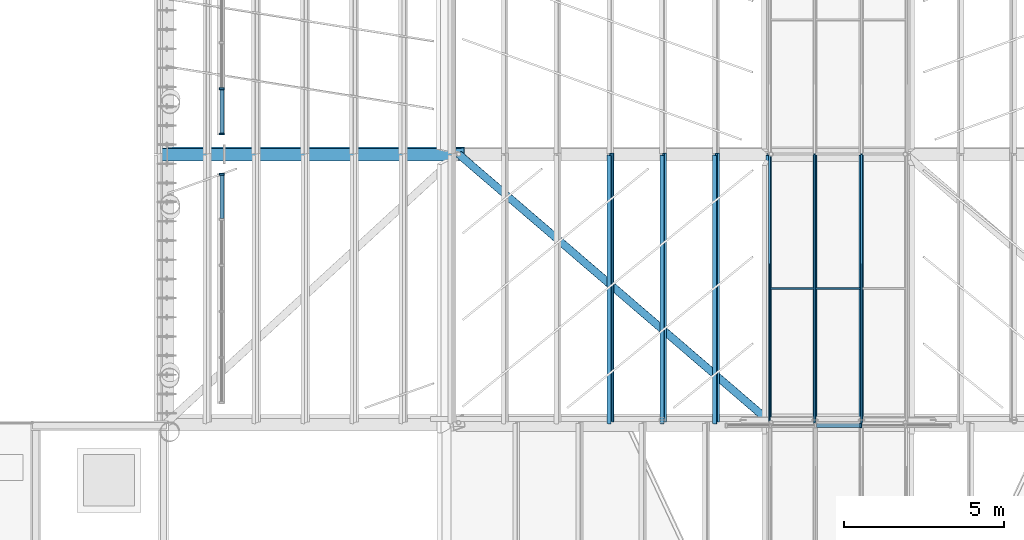
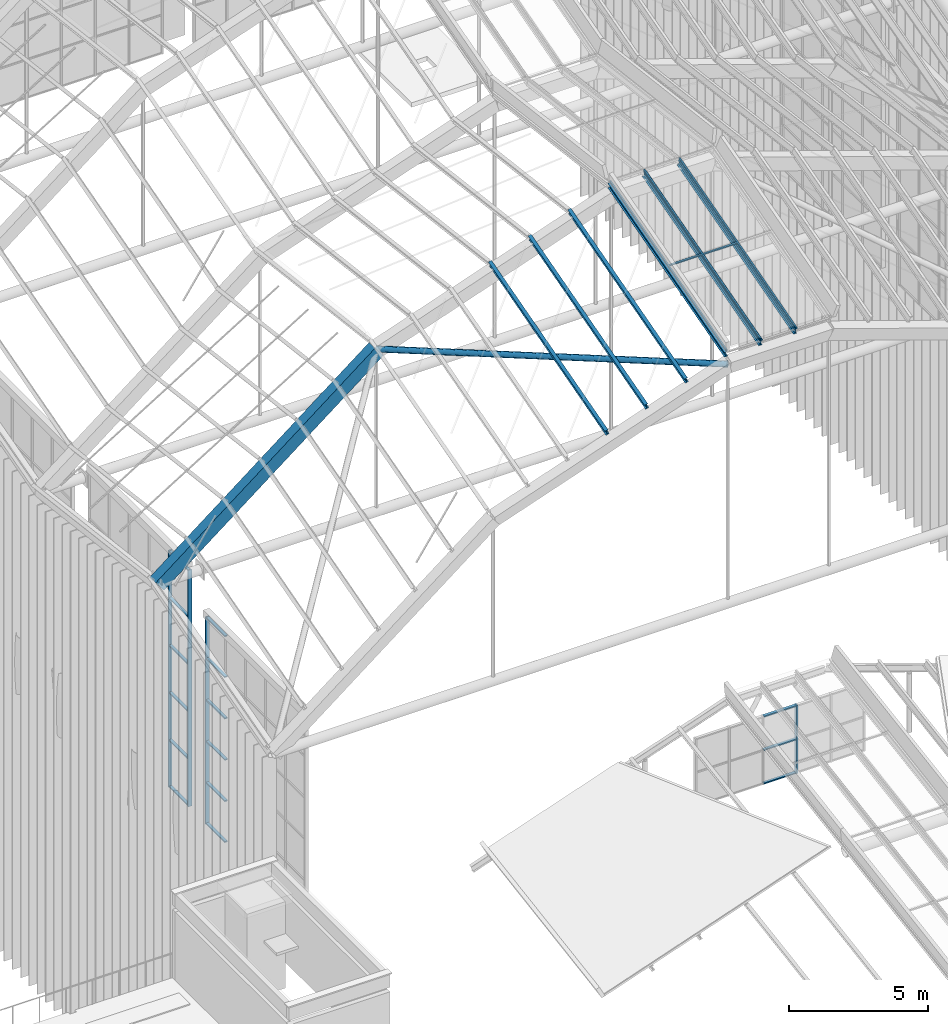
# One storey, part 19 of 126: 31 members, 1 beam, 3 elements without a shape of their own.
"""IFC4 building model written with IfcOpenShell, lengths in metres."""

from ifc_helpers import new_model, si_unit, direction, frame, origin, origin_2d, place, context, subcontext, project, spatial, polyline, rectangle, hollow_circle, i_section, outline, extrude, material, material_profile, profile_set, type_object, element, aggregate, save


model = new_model("IFC4")

# Units and contexts
model_context = context("Model", 3, precision=1e-05, world=origin(), true_north=direction((0.0, 1.0)))
body_context = subcontext(model_context, "Body", "Model", "MODEL_VIEW")
ifc_project = project(units=[si_unit("LENGTHUNIT", "METRE"), si_unit("AREAUNIT", "SQUARE_METRE"), si_unit("VOLUMEUNIT", "CUBIC_METRE"), si_unit("PLANEANGLEUNIT", "RADIAN"), si_unit("MASSUNIT", "GRAM", prefix="KILO")], contexts=[model_context])

# Site, building, storey
site_placement = place(None, origin())
site = spatial("IfcSite", under=ifc_project, at=site_placement, CompositionType="ELEMENT")
building_placement = place(site_placement, origin())
building = spatial("IfcBuilding", under=site, at=building_placement, Name="Sava Quay Ferry Terminal", CompositionType="ELEMENT")
storey_placement = place(building_placement, frame((0.0, 0.0, 15.0)))
storey = spatial("IfcBuildingStorey", under=building, at=storey_placement, Name="L03", CompositionType="ELEMENT", Elevation=15.0)

# Beam
ifc_material_1 = material(Name="Steel S355", Category="steel")
ifc_material_profile_1 = material_profile(ifc_material_1, outline(polyline([(-0.199951171875, -0.300048828125), (0.199951171875, -0.300048828125), (0.199951171875, 0.300048828125), (-0.199951171875, 0.300048828125), (-0.199951171875, -0.300048828125)]), holes=[polyline([(-0.175048828125, -0.27490234375), (-0.175048828125, 0.27490234375), (0.175048828125, 0.27490234375), (0.175048828125, -0.27490234375), (-0.175048828125, -0.27490234375)])]), Name="Box 600x400x25 built-up")
ifc_profile_set_1 = profile_set([ifc_material_profile_1], Name="Steel S355")
beam_type = type_object("IfcBeamType", Name="D folded rib Box 600x400x25", PredefinedType="BEAM", material=ifc_profile_set_1)
beam_placement = place(storey_placement, frame((42.0, 58.800048828125, 10.757080078125), z_axis=(0.788010316968, 0.0, 0.615662034198), x_axis=(-0.036941091699, 0.998198243354, 0.047282372084)))
element("IfcBeam", 1, at=beam_placement, inside=storey, type_object=beam_type, Name="Departure hall folded rib R1 seg 1", PredefinedType="BEAM", context=body_context, shape_type="SweptSolid", body=[
    extrude(outline(polyline([(-0.199951171875, -0.300048828125), (0.199951171875, -0.300048828125), (0.199951171875, 0.300048828125), (-0.199951171875, 0.300048828125), (-0.199951171875, -0.300048828125)]), holes=[polyline([(-0.175048828125, -0.27490234375), (-0.175048828125, 0.27490234375), (0.175048828125, 0.27490234375), (0.175048828125, -0.27490234375), (-0.175048828125, -0.27490234375)])]), origin(), (0.0, 0.0, 1.0), 11.5859375),
])

# Members
ifc_material_2 = material(Name="Aluminium EN AW-6063 T6", Category="aluminium")
ifc_material_profile_2 = material_profile(ifc_material_2, rectangle(XDim=0.06005859375, YDim=0.06005859375, at=origin_2d()), Name="Bar 60 x 60")
ifc_profile_set_2 = profile_set([ifc_material_profile_2], Name="Aluminium EN AW-6063 T6")
member_type_1 = type_object("IfcMemberType", Name="Glazing bar 60x60", PredefinedType="USERDEFINED", material=ifc_profile_set_2)
for number, where, z_axis, x_axis, name in (
    (2, (60.85302734375, 50.39990234375, 19.5205078125), (0.0, 0.962818275279, 0.270149900588), (-1.0, 0.0, 0.0), "Departure hall glazing bar D-B0-GL2.0"),
    (3, (62.267822265625, 50.39990234375, 19.5205078125), (0.0, 0.962818275279, 0.270149900588), (-1.0, 0.0, 0.0), "Departure hall glazing bar D-B0-GL2.1"),
    (4, (63.732177734375, 50.39990234375, 19.5205078125), (0.0, 0.962818275279, 0.270149900588), (-1.0, 0.0, 0.0), "Departure hall glazing bar D-B0-GL2.2"),
):
    element("IfcMember", number, at=place(storey_placement, frame(where, z_axis=z_axis, x_axis=x_axis)), inside=storey, type_object=member_type_1, Name=name, ObjectType="GLAZING BAR", PredefinedType="USERDEFINED", context=body_context, shape_type="SweptSolid", body=[
        extrude(rectangle(XDim=0.06005859375, YDim=0.06005859375, at=origin_2d()), origin(), (0.0, 0.0, 1.0), 8.724609375),
    ])
member_1_placement = place(storey_placement, frame((60.883056640625, 54.60009765625, 20.698974609375), z_axis=(1.0, 0.0, 0.0), x_axis=(0.0, 0.962815070048, 0.270161323822)))
element("IfcMember", 5, at=member_1_placement, inside=storey, type_object=member_type_1, Name="Departure hall glazing bar D-B0M-GT2.0", ObjectType="GLAZING BAR", PredefinedType="USERDEFINED", context=body_context, shape_type="SweptSolid", body=[
    extrude(rectangle(XDim=0.06005859375, YDim=0.06005859375, at=origin_2d()), origin(), (0.0, 0.0, 1.0), 1.354736328125),
])
member_2_placement = place(storey_placement, frame((62.297607421875, 54.60009765625, 20.698974609375), z_axis=(1.0, 0.0, 0.0), x_axis=(0.0, 0.962815070048, 0.270161323822)))
element("IfcMember", 6, at=member_2_placement, inside=storey, type_object=member_type_1, Name="Departure hall glazing bar D-B0M-GT2.1", ObjectType="GLAZING BAR", PredefinedType="USERDEFINED", context=body_context, shape_type="SweptSolid", body=[
    extrude(rectangle(XDim=0.06005859375, YDim=0.06005859375, at=origin_2d()), origin(), (0.0, 0.0, 1.0), 1.40478515625),
])

# Curtain wall, member
ifc_material_3 = material(Name="Aluminium and glass curtain wall, double low-e glazed", Category="aluminium")
curtain_wall_type_1 = type_object("IfcCurtainWallType", Name="Curtain wall CW-G gable", PredefinedType="NOTDEFINED", material=ifc_material_3)
curtain_wall_1_placement = place(storey_placement, origin())
curtain_wall_1 = element("IfcCurtainWall", 7, at=curtain_wall_1_placement, inside=storey, type_object=curtain_wall_type_1, Name="Curtain wall D-S L03 bay 31", PredefinedType="NOTDEFINED")
ifc_material_4 = material(Name="Aluminium EN AW-6063 T6", Category="aluminium")
ifc_material_profile_3 = material_profile(ifc_material_4, rectangle(XDim=0.14990234375, YDim=0.06005859375, at=origin_2d()), Name="Mullion 60x150 aluminium")
ifc_profile_set_3 = profile_set([ifc_material_profile_3], Name="Aluminium EN AW-6063 T6")
member_type_2 = type_object("IfcMemberType", Name="Mullion 60x150 aluminium", PredefinedType="MULLION", material=ifc_profile_set_3)
member_3_placement = place(storey_placement, frame((63.7060546875, 50.31494140625, 0.0), z_axis=(0.0, 0.0, 1.0), x_axis=(0.0, 1.0, 0.0)))
member_3 = element("IfcMember", 8, at=member_3_placement, type_object=member_type_2, Name="CW92 mullion 4", PredefinedType="MULLION", context=body_context, shape_type="SweptSolid", body=[
    extrude(rectangle(XDim=0.14990234375, YDim=0.06005859375, at=origin_2d()), origin(), (0.0, 0.0, 1.0), 3.0),
])

ifc_material_5 = material(Name="Aluminium and glass curtain wall, double low-e glazed", Category="aluminium")
curtain_wall_type_2 = type_object("IfcCurtainWallType", Name="Curtain wall CW-F flank", PredefinedType="NOTDEFINED", material=ifc_material_5)
curtain_wall_2_placement = place(storey_placement, origin())
curtain_wall_2 = element("IfcCurtainWall", 9, at=curtain_wall_2_placement, inside=storey, type_object=curtain_wall_type_2, Name="Curtain wall D-W L03 bay 1", PredefinedType="NOTDEFINED")
member_4_placement = place(storey_placement, frame((43.72509765625, 58.169921875, 0.0), z_axis=(0.0, 0.0, 1.0), x_axis=(-1.0, 0.0, 0.0)))
member_4 = element("IfcMember", 10, at=member_4_placement, type_object=member_type_2, Name="CW98 mullion 6", PredefinedType="MULLION", context=body_context, shape_type="SweptSolid", body=[
    extrude(rectangle(XDim=0.14990234375, YDim=0.06005859375, at=origin_2d()), origin(), (0.0, 0.0, 1.0), 9.10009765625),
])

# Curtain wall, members
curtain_wall_3_placement = place(storey_placement, origin())
curtain_wall_3 = element("IfcCurtainWall", 11, at=curtain_wall_3_placement, inside=storey, type_object=curtain_wall_type_2, Name="Curtain wall D-W L03 bay 2", PredefinedType="NOTDEFINED")
member_5_placement = place(storey_placement, frame((43.72509765625, 59.429931640625, 0.0), z_axis=(0.0, 0.0, 1.0), x_axis=(-1.0, 0.0, 0.0)))
member_5 = element("IfcMember", 12, at=member_5_placement, type_object=member_type_2, Name="CW102 mullion 1", PredefinedType="MULLION", context=body_context, shape_type="SweptSolid", body=[
    extrude(rectangle(XDim=0.14990234375, YDim=0.06005859375, at=origin_2d()), origin(), (0.0, 0.0, 1.0), 10.39990234375),
])
member_6_placement = place(storey_placement, frame((43.72509765625, 60.840087890625, 0.0), z_axis=(0.0, 0.0, 1.0), x_axis=(-1.0, 0.0, 0.0)))
member_6 = element("IfcMember", 13, at=member_6_placement, type_object=member_type_2, Name="CW102 mullion 2", PredefinedType="MULLION", context=body_context, shape_type="SweptSolid", body=[
    extrude(rectangle(XDim=0.14990234375, YDim=0.06005859375, at=origin_2d()), origin(), (0.0, 0.0, 1.0), 10.39990234375),
])

# Members
ifc_material_6 = material(Name="Steel S355", Category="steel")
ifc_material_profile_4 = material_profile(ifc_material_6, hollow_circle(Radius=0.122314453125, WallThickness=0.008056640625, at=origin_2d()), Name="CHS 244.5 x 8.0")
ifc_profile_set_4 = profile_set([ifc_material_profile_4], Name="Steel S355")
member_type_3 = type_object("IfcMemberType", Name="Roof brace CHS 244.5x8", PredefinedType="BRACE", material=ifc_profile_set_4)
member_7_placement = place(storey_placement, frame((60.89990234375, 50.39990234375, 18.897216796875), z_axis=(-0.755959018729, 0.649964564881, -0.077923208363), x_axis=(-0.651946898046, -0.758264625397, 0.0)))
element("IfcMember", 14, at=member_7_placement, inside=storey, type_object=member_type_3, Name="Departure hall roof brace bay 1 panel 2", PredefinedType="BRACE", context=body_context, shape_type="SweptSolid", body=[
    extrude(hollow_circle(Radius=0.122314453125, WallThickness=0.008056640625, at=origin_2d()), origin(), (0.0, 0.0, 1.0), 12.924072265625),
])
ifc_material_7 = material(Name="Steel S355", Category="steel")
ifc_material_profile_5 = material_profile(ifc_material_7, i_section(OverallWidth=0.135009765625, OverallDepth=0.27001953125, WebThickness=0.006591796875, FlangeThickness=0.01025390625, at=origin_2d()), Name="IPE 270")
ifc_profile_set_5 = profile_set([ifc_material_profile_5], Name="Steel S355")
member_type_4 = type_object("IfcMemberType", Name="Roof purlin IPE 270", PredefinedType="PURLIN", material=ifc_profile_set_5)
for number, where, z_axis, x_axis, name in (
    (15, (55.877685546875, 50.39990234375, 17.643798828125), (0.0, 0.962810996405, 0.270175841262), (-0.949197315574, 0.085019343141, -0.30297882335), "Departure hall purlin bay 1 M1.3"),
    (16, (57.5283203125, 50.39990234375, 18.212158203125), (0.0, 0.962810996405, 0.270175841262), (-0.949197315574, 0.085019343141, -0.30297882335), "Departure hall purlin bay 1 M1.4"),
    (17, (59.178955078125, 50.39990234375, 18.780517578125), (0.0, 0.962810996405, 0.270175841262), (-0.949197315574, 0.085019343141, -0.30297882335), "Departure hall purlin bay 1 M1.5"),
    (18, (60.829833984375, 50.39990234375, 19.34912109375), (0.0, 0.962818275279, 0.270149900588), (-0.987217634461, 0.043055946895, -0.15345203696), "Departure hall purlin bay 1 V2"),
    (19, (62.276611328125, 50.39990234375, 19.34912109375), (0.0, 0.962818275279, 0.270149900588), (-1.0, 0.0, 0.0), "Departure hall purlin bay 1 M2.1"),
    (20, (63.723388671875, 50.39990234375, 19.34912109375), (0.0, 0.962818275279, 0.270149900588), (-1.0, 0.0, 0.0), "Departure hall purlin bay 1 M2.2"),
):
    element("IfcMember", number, at=place(storey_placement, frame(where, z_axis=z_axis, x_axis=x_axis)), inside=storey, type_object=member_type_4, Name=name, PredefinedType="PURLIN", context=body_context, shape_type="SweptSolid", body=[
        extrude(i_section(OverallWidth=0.135009765625, OverallDepth=0.27001953125, WebThickness=0.006591796875, FlangeThickness=0.01025390625, at=origin_2d()), origin(), (0.0, 0.0, 1.0), 8.724609375),
    ])

# Member
ifc_material_8 = material(Name="Aluminium EN AW-6063 T6", Category="aluminium")
ifc_material_profile_6 = material_profile(ifc_material_8, rectangle(XDim=0.1201171875, YDim=0.050048828125, at=origin_2d()), Name="Transom 50x120 aluminium")
ifc_profile_set_6 = profile_set([ifc_material_profile_6], Name="Aluminium EN AW-6063 T6")
member_type_5 = type_object("IfcMemberType", Name="Transom 50x120 aluminium", PredefinedType="USERDEFINED", material=ifc_profile_set_6)
member_8_placement = place(storey_placement, frame((62.323974609375, 50.31494140625, 0.02490234375), z_axis=(1.0, 0.0, 0.0), x_axis=(0.0, 1.0, 0.0)))
member_8 = element("IfcMember", 21, at=member_8_placement, type_object=member_type_5, Name="CW92 transom 3.1", ObjectType="TRANSOM", PredefinedType="USERDEFINED", context=body_context, shape_type="SweptSolid", body=[
    extrude(rectangle(XDim=0.1201171875, YDim=0.050048828125, at=origin_2d()), origin(), (0.0, 0.0, 1.0), 1.35205078125),
])

member_9_placement = place(storey_placement, frame((62.323974609375, 50.31494140625, 1.5), z_axis=(1.0, 0.0, 0.0), x_axis=(0.0, 1.0, 0.0)))
member_9 = element("IfcMember", 22, at=member_9_placement, type_object=member_type_5, Name="CW92 transom 3.2", ObjectType="TRANSOM", PredefinedType="USERDEFINED", context=body_context, shape_type="SweptSolid", body=[
    extrude(rectangle(XDim=0.1201171875, YDim=0.050048828125, at=origin_2d()), origin(), (0.0, 0.0, 1.0), 1.35205078125),
])

member_10_placement = place(storey_placement, frame((62.323974609375, 50.31494140625, 2.97509765625), z_axis=(1.0, 0.0, 0.0), x_axis=(0.0, 1.0, 0.0)))
member_10 = element("IfcMember", 23, at=member_10_placement, type_object=member_type_5, Name="CW92 transom 3.3", ObjectType="TRANSOM", PredefinedType="USERDEFINED", context=body_context, shape_type="SweptSolid", body=[
    extrude(rectangle(XDim=0.1201171875, YDim=0.050048828125, at=origin_2d()), origin(), (0.0, 0.0, 1.0), 1.35205078125),
])

aggregate(curtain_wall_1, [member_3, member_8, member_9, member_10])

member_11_placement = place(storey_placement, frame((43.72509765625, 56.7900390625, 0.02490234375), z_axis=(0.0, 1.0, 0.0), x_axis=(-1.0, 0.0, 0.0)))
member_11 = element("IfcMember", 24, at=member_11_placement, type_object=member_type_5, Name="CW98 transom 5.1", ObjectType="TRANSOM", PredefinedType="USERDEFINED", context=body_context, shape_type="SweptSolid", body=[
    extrude(rectangle(XDim=0.1201171875, YDim=0.050048828125, at=origin_2d()), origin(), (0.0, 0.0, 1.0), 1.349853515625),
])

member_12_placement = place(storey_placement, frame((43.72509765625, 56.7900390625, 1.820068359375), z_axis=(0.0, 1.0, 0.0), x_axis=(-1.0, 0.0, 0.0)))
member_12 = element("IfcMember", 25, at=member_12_placement, type_object=member_type_5, Name="CW98 transom 5.2", ObjectType="TRANSOM", PredefinedType="USERDEFINED", context=body_context, shape_type="SweptSolid", body=[
    extrude(rectangle(XDim=0.1201171875, YDim=0.050048828125, at=origin_2d()), origin(), (0.0, 0.0, 1.0), 1.349853515625),
])

member_13_placement = place(storey_placement, frame((43.72509765625, 56.7900390625, 3.639892578125), z_axis=(0.0, 1.0, 0.0), x_axis=(-1.0, 0.0, 0.0)))
member_13 = element("IfcMember", 26, at=member_13_placement, type_object=member_type_5, Name="CW98 transom 5.3", ObjectType="TRANSOM", PredefinedType="USERDEFINED", context=body_context, shape_type="SweptSolid", body=[
    extrude(rectangle(XDim=0.1201171875, YDim=0.050048828125, at=origin_2d()), origin(), (0.0, 0.0, 1.0), 1.349853515625),
])

member_14_placement = place(storey_placement, frame((43.72509765625, 56.7900390625, 5.4599609375), z_axis=(0.0, 1.0, 0.0), x_axis=(-1.0, 0.0, 0.0)))
member_14 = element("IfcMember", 27, at=member_14_placement, type_object=member_type_5, Name="CW98 transom 5.4", ObjectType="TRANSOM", PredefinedType="USERDEFINED", context=body_context, shape_type="SweptSolid", body=[
    extrude(rectangle(XDim=0.1201171875, YDim=0.050048828125, at=origin_2d()), origin(), (0.0, 0.0, 1.0), 1.349853515625),
])

member_15_placement = place(storey_placement, frame((43.72509765625, 56.7900390625, 7.280029296875), z_axis=(0.0, 1.0, 0.0), x_axis=(-1.0, 0.0, 0.0)))
member_15 = element("IfcMember", 28, at=member_15_placement, type_object=member_type_5, Name="CW98 transom 5.5", ObjectType="TRANSOM", PredefinedType="USERDEFINED", context=body_context, shape_type="SweptSolid", body=[
    extrude(rectangle(XDim=0.1201171875, YDim=0.050048828125, at=origin_2d()), origin(), (0.0, 0.0, 1.0), 1.349853515625),
])

member_16_placement = place(storey_placement, frame((43.72509765625, 56.7900390625, 9.074951171875), z_axis=(0.0, 1.0, 0.0), x_axis=(-1.0, 0.0, 0.0)))
member_16 = element("IfcMember", 29, at=member_16_placement, type_object=member_type_5, Name="CW98 transom 5.6", ObjectType="TRANSOM", PredefinedType="USERDEFINED", context=body_context, shape_type="SweptSolid", body=[
    extrude(rectangle(XDim=0.1201171875, YDim=0.050048828125, at=origin_2d()), origin(), (0.0, 0.0, 1.0), 1.349853515625),
])

aggregate(curtain_wall_2, [member_4, member_11, member_12, member_13, member_14, member_15, member_16])

member_17_placement = place(storey_placement, frame((43.72509765625, 59.4599609375, 0.02490234375), z_axis=(0.0, 1.0, 0.0), x_axis=(-1.0, 0.0, 0.0)))
member_17 = element("IfcMember", 30, at=member_17_placement, type_object=member_type_5, Name="CW102 transom 1.1", ObjectType="TRANSOM", PredefinedType="USERDEFINED", context=body_context, shape_type="SweptSolid", body=[
    extrude(rectangle(XDim=0.1201171875, YDim=0.050048828125, at=origin_2d()), origin(), (0.0, 0.0, 1.0), 1.35009765625),
])

member_18_placement = place(storey_placement, frame((43.72509765625, 59.4599609375, 2.080078125), z_axis=(0.0, 1.0, 0.0), x_axis=(-1.0, 0.0, 0.0)))
member_18 = element("IfcMember", 31, at=member_18_placement, type_object=member_type_5, Name="CW102 transom 1.2", ObjectType="TRANSOM", PredefinedType="USERDEFINED", context=body_context, shape_type="SweptSolid", body=[
    extrude(rectangle(XDim=0.1201171875, YDim=0.050048828125, at=origin_2d()), origin(), (0.0, 0.0, 1.0), 1.35009765625),
])

member_19_placement = place(storey_placement, frame((43.72509765625, 59.4599609375, 4.159912109375), z_axis=(0.0, 1.0, 0.0), x_axis=(-1.0, 0.0, 0.0)))
member_19 = element("IfcMember", 32, at=member_19_placement, type_object=member_type_5, Name="CW102 transom 1.3", ObjectType="TRANSOM", PredefinedType="USERDEFINED", context=body_context, shape_type="SweptSolid", body=[
    extrude(rectangle(XDim=0.1201171875, YDim=0.050048828125, at=origin_2d()), origin(), (0.0, 0.0, 1.0), 1.35009765625),
])

member_20_placement = place(storey_placement, frame((43.72509765625, 59.4599609375, 6.239990234375), z_axis=(0.0, 1.0, 0.0), x_axis=(-1.0, 0.0, 0.0)))
member_20 = element("IfcMember", 33, at=member_20_placement, type_object=member_type_5, Name="CW102 transom 1.4", ObjectType="TRANSOM", PredefinedType="USERDEFINED", context=body_context, shape_type="SweptSolid", body=[
    extrude(rectangle(XDim=0.1201171875, YDim=0.050048828125, at=origin_2d()), origin(), (0.0, 0.0, 1.0), 1.35009765625),
])

member_21_placement = place(storey_placement, frame((43.72509765625, 59.4599609375, 8.320068359375), z_axis=(0.0, 1.0, 0.0), x_axis=(-1.0, 0.0, 0.0)))
member_21 = element("IfcMember", 34, at=member_21_placement, type_object=member_type_5, Name="CW102 transom 1.5", ObjectType="TRANSOM", PredefinedType="USERDEFINED", context=body_context, shape_type="SweptSolid", body=[
    extrude(rectangle(XDim=0.1201171875, YDim=0.050048828125, at=origin_2d()), origin(), (0.0, 0.0, 1.0), 1.35009765625),
])

member_22_placement = place(storey_placement, frame((43.72509765625, 59.4599609375, 10.375), z_axis=(0.0, 1.0, 0.0), x_axis=(-1.0, 0.0, 0.0)))
member_22 = element("IfcMember", 35, at=member_22_placement, type_object=member_type_5, Name="CW102 transom 1.6", ObjectType="TRANSOM", PredefinedType="USERDEFINED", context=body_context, shape_type="SweptSolid", body=[
    extrude(rectangle(XDim=0.1201171875, YDim=0.050048828125, at=origin_2d()), origin(), (0.0, 0.0, 1.0), 1.35009765625),
])

aggregate(curtain_wall_3, [member_5, member_6, member_17, member_18, member_19, member_20, member_21, member_22])

save(model, "model.ifc")
